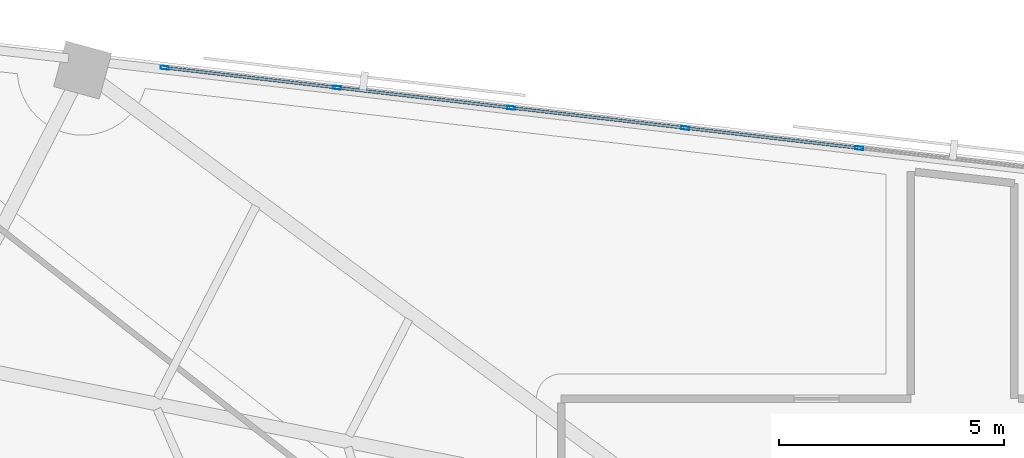
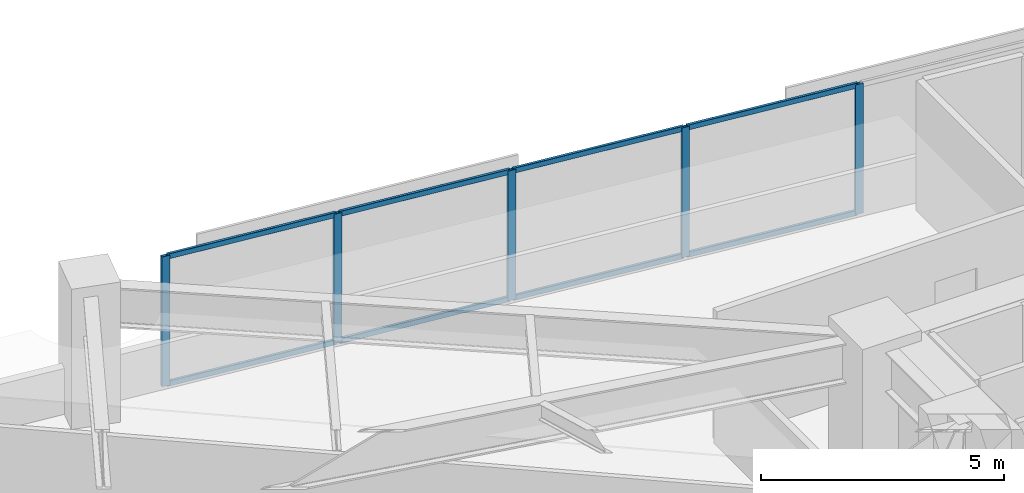
# One storey, part 7 of 13: 13 members, 1 element without a shape of its own.
"""IFC4 building model written with IfcOpenShell, lengths in metres."""

from ifc_helpers import new_model, si_unit, direction, frame, origin, origin_2d, place, context, subcontext, project, spatial, hollow_rectangle, extrude, material, material_profile, profile_set, type_object, element, aggregate, save


model = new_model("IFC4")

# Units and contexts
model_context = context("Model", 3, precision=1e-05, world=origin(), true_north=direction((0.0, 1.0)))
body_context = subcontext(model_context, "Body", "Model", "MODEL_VIEW")
ifc_project = project(units=[si_unit("LENGTHUNIT", "METRE"), si_unit("AREAUNIT", "SQUARE_METRE"), si_unit("VOLUMEUNIT", "CUBIC_METRE"), si_unit("PLANEANGLEUNIT", "RADIAN"), si_unit("MASSUNIT", "GRAM", prefix="KILO")], contexts=[model_context])

# Site, building, storey
site_placement = place(None, origin())
site = spatial("IfcSite", under=ifc_project, at=site_placement, CompositionType="ELEMENT")
building_placement = place(site_placement, origin())
building = spatial("IfcBuilding", under=site, at=building_placement, Name="Narakoshi Arena Tower", CompositionType="ELEMENT")
storey_placement = place(building_placement, frame((0.0, 0.0, 229.06005859375)))
storey = spatial("IfcBuildingStorey", under=building, at=storey_placement, Name="L62", CompositionType="ELEMENT", Elevation=229.06005859375)

# Curtain wall, members
ifc_material = material(Name="Anodised bronze aluminium 6063-T6", Category="aluminium")
curtain_wall_type = type_object("IfcCurtainWallType", Name="CW-HYP-MID", PredefinedType="NOTDEFINED", material=ifc_material)
curtain_wall_placement = place(storey_placement, origin())
curtain_wall = element("IfcCurtainWall", 1, at=curtain_wall_placement, inside=storey, type_object=curtain_wall_type, Name="L62 Folded Hypotenuse Curtain Wall 2-1", PredefinedType="NOTDEFINED")
ifc_material_profile_1 = material_profile(ifc_material, hollow_rectangle(XDim=0.074951171875, YDim=0.179931640625, WallThickness=0.00390625, OuterFilletRadius=0.0048828125, at=origin_2d()), Name="MUL180x75x4")
ifc_profile_set_1 = profile_set([ifc_material_profile_1], Name="Anodised bronze aluminium 6063-T6")
member_type_1 = type_object("IfcMemberType", Name="MEM-MUL-180", PredefinedType="MULLION", material=ifc_profile_set_1)
member_1_placement = place(storey_placement, frame((76.20068359375, 64.446533203125, 0.0), z_axis=(0.0, 0.0, 1.0), x_axis=(-0.115011296816, -0.993364183774, 0.0)))
member_1 = element("IfcMember", 2, at=member_1_placement, type_object=member_type_1, Name="CW-02 mullion 3", PredefinedType="MULLION", context=body_context, shape_type="SweptSolid", body=[
    extrude(hollow_rectangle(XDim=0.074951171875, YDim=0.179931640625, WallThickness=0.00390625, OuterFilletRadius=0.0048828125, at=origin_2d()), origin(), (0.0, 0.0, 1.0), 3.260009765625),
])
member_2_placement = place(storey_placement, frame((72.33154296875, 64.894287109375, 0.0), z_axis=(0.0, 0.0, 1.0), x_axis=(-0.115011296816, -0.993364183774, 0.0)))
member_2 = element("IfcMember", 3, at=member_2_placement, type_object=member_type_1, Name="CW-02 mullion 4", PredefinedType="MULLION", context=body_context, shape_type="SweptSolid", body=[
    extrude(hollow_rectangle(XDim=0.074951171875, YDim=0.179931640625, WallThickness=0.00390625, OuterFilletRadius=0.0048828125, at=origin_2d()), origin(), (0.0, 0.0, 1.0), 3.260009765625),
])
member_3_placement = place(storey_placement, frame((68.46240234375, 65.34228515625, 0.0), z_axis=(0.0, 0.0, 1.0), x_axis=(-0.115011296816, -0.993364183774, 0.0)))
member_3 = element("IfcMember", 4, at=member_3_placement, type_object=member_type_1, Name="CW-02 mullion 5", PredefinedType="MULLION", context=body_context, shape_type="SweptSolid", body=[
    extrude(hollow_rectangle(XDim=0.074951171875, YDim=0.179931640625, WallThickness=0.00390625, OuterFilletRadius=0.0048828125, at=origin_2d()), origin(), (0.0, 0.0, 1.0), 3.260009765625),
])
member_4_placement = place(storey_placement, frame((64.59326171875, 65.790283203125, 0.0), z_axis=(0.0, 0.0, 1.0), x_axis=(-0.115011296816, -0.993364183774, 0.0)))
member_4 = element("IfcMember", 5, at=member_4_placement, type_object=member_type_1, Name="CW-02 mullion 6", PredefinedType="MULLION", context=body_context, shape_type="SweptSolid", body=[
    extrude(hollow_rectangle(XDim=0.074951171875, YDim=0.179931640625, WallThickness=0.00390625, OuterFilletRadius=0.0048828125, at=origin_2d()), origin(), (0.0, 0.0, 1.0), 3.260009765625),
])
member_5_placement = place(storey_placement, frame((60.76123046875, 66.23388671875, 0.0), z_axis=(0.0, 0.0, 1.0), x_axis=(-0.115011296816, -0.993364183774, 0.0)))
member_5 = element("IfcMember", 6, at=member_5_placement, type_object=member_type_1, Name="CW-02 mullion 7", PredefinedType="MULLION", context=body_context, shape_type="SweptSolid", body=[
    extrude(hollow_rectangle(XDim=0.074951171875, YDim=0.179931640625, WallThickness=0.00390625, OuterFilletRadius=0.0048828125, at=origin_2d()), origin(), (0.0, 0.0, 1.0), 3.260009765625),
])
ifc_material_profile_2 = material_profile(ifc_material, hollow_rectangle(XDim=0.06494140625, YDim=0.1298828125, WallThickness=0.00390625, OuterFilletRadius=0.0048828125, at=origin_2d()), Name="TRN130x65x4")
ifc_profile_set_2 = profile_set([ifc_material_profile_2], Name="Anodised bronze aluminium 6063-T6")
member_type_2 = type_object("IfcMemberType", Name="MEM-TRN-130", PredefinedType="USERDEFINED", material=ifc_profile_set_2)
member_6_placement = place(storey_placement, frame((76.163330078125, 64.45068359375, 0.032470703125), z_axis=(-0.993360986362, 0.115038909828, 0.0), x_axis=(-0.115038909828, -0.993360986362, 0.0)))
member_6 = element("IfcMember", 7, at=member_6_placement, type_object=member_type_2, Name="CW-02 transom 3.1", ObjectType="TRANSOM", PredefinedType="USERDEFINED", context=body_context, shape_type="SweptSolid", body=[
    extrude(hollow_rectangle(XDim=0.06494140625, YDim=0.1298828125, WallThickness=0.00390625, OuterFilletRadius=0.0048828125, at=origin_2d()), origin(), (0.0, 0.0, 1.0), 3.820068359375),
])
member_7_placement = place(storey_placement, frame((76.163330078125, 64.45068359375, 3.2275390625), z_axis=(-0.993360986362, 0.115038909828, 0.0), x_axis=(-0.115038909828, -0.993360986362, 0.0)))
member_7 = element("IfcMember", 8, at=member_7_placement, type_object=member_type_2, Name="CW-02 transom 3.2", ObjectType="TRANSOM", PredefinedType="USERDEFINED", context=body_context, shape_type="SweptSolid", body=[
    extrude(hollow_rectangle(XDim=0.06494140625, YDim=0.1298828125, WallThickness=0.00390625, OuterFilletRadius=0.0048828125, at=origin_2d()), origin(), (0.0, 0.0, 1.0), 3.820068359375),
])
member_8_placement = place(storey_placement, frame((72.294189453125, 64.898681640625, 0.032470703125), z_axis=(-0.993360986362, 0.115038909828, 0.0), x_axis=(-0.115038909828, -0.993360986362, 0.0)))
member_8 = element("IfcMember", 9, at=member_8_placement, type_object=member_type_2, Name="CW-02 transom 4.1", ObjectType="TRANSOM", PredefinedType="USERDEFINED", context=body_context, shape_type="SweptSolid", body=[
    extrude(hollow_rectangle(XDim=0.06494140625, YDim=0.1298828125, WallThickness=0.00390625, OuterFilletRadius=0.0048828125, at=origin_2d()), origin(), (0.0, 0.0, 1.0), 3.820068359375),
])
member_9_placement = place(storey_placement, frame((72.294189453125, 64.898681640625, 3.2275390625), z_axis=(-0.993360986362, 0.115038909828, 0.0), x_axis=(-0.115038909828, -0.993360986362, 0.0)))
member_9 = element("IfcMember", 10, at=member_9_placement, type_object=member_type_2, Name="CW-02 transom 4.2", ObjectType="TRANSOM", PredefinedType="USERDEFINED", context=body_context, shape_type="SweptSolid", body=[
    extrude(hollow_rectangle(XDim=0.06494140625, YDim=0.1298828125, WallThickness=0.00390625, OuterFilletRadius=0.0048828125, at=origin_2d()), origin(), (0.0, 0.0, 1.0), 3.820068359375),
])
member_10_placement = place(storey_placement, frame((68.425048828125, 65.3466796875, 0.032470703125), z_axis=(-0.993360986362, 0.115038909828, 0.0), x_axis=(-0.115038909828, -0.993360986362, 0.0)))
member_10 = element("IfcMember", 11, at=member_10_placement, type_object=member_type_2, Name="CW-02 transom 5.1", ObjectType="TRANSOM", PredefinedType="USERDEFINED", context=body_context, shape_type="SweptSolid", body=[
    extrude(hollow_rectangle(XDim=0.06494140625, YDim=0.1298828125, WallThickness=0.00390625, OuterFilletRadius=0.0048828125, at=origin_2d()), origin(), (0.0, 0.0, 1.0), 3.820068359375),
])
member_11_placement = place(storey_placement, frame((68.425048828125, 65.3466796875, 3.2275390625), z_axis=(-0.993360986362, 0.115038909828, 0.0), x_axis=(-0.115038909828, -0.993360986362, 0.0)))
member_11 = element("IfcMember", 12, at=member_11_placement, type_object=member_type_2, Name="CW-02 transom 5.2", ObjectType="TRANSOM", PredefinedType="USERDEFINED", context=body_context, shape_type="SweptSolid", body=[
    extrude(hollow_rectangle(XDim=0.06494140625, YDim=0.1298828125, WallThickness=0.00390625, OuterFilletRadius=0.0048828125, at=origin_2d()), origin(), (0.0, 0.0, 1.0), 3.820068359375),
])
member_12_placement = place(storey_placement, frame((64.555908203125, 65.794677734375, 0.032470703125), z_axis=(-0.993363061903, 0.115020986115, 0.0), x_axis=(-0.115020986115, -0.993363061903, 0.0)))
member_12 = element("IfcMember", 13, at=member_12_placement, type_object=member_type_2, Name="CW-02 transom 6.1", ObjectType="TRANSOM", PredefinedType="USERDEFINED", context=body_context, shape_type="SweptSolid", body=[
    extrude(hollow_rectangle(XDim=0.06494140625, YDim=0.1298828125, WallThickness=0.00390625, OuterFilletRadius=0.0048828125, at=origin_2d()), origin(), (0.0, 0.0, 1.0), 3.782470703125),
])
member_13_placement = place(storey_placement, frame((64.555908203125, 65.794677734375, 3.2275390625), z_axis=(-0.993363061903, 0.115020986115, 0.0), x_axis=(-0.115020986115, -0.993363061903, 0.0)))
member_13 = element("IfcMember", 14, at=member_13_placement, type_object=member_type_2, Name="CW-02 transom 6.2", ObjectType="TRANSOM", PredefinedType="USERDEFINED", context=body_context, shape_type="SweptSolid", body=[
    extrude(hollow_rectangle(XDim=0.06494140625, YDim=0.1298828125, WallThickness=0.00390625, OuterFilletRadius=0.0048828125, at=origin_2d()), origin(), (0.0, 0.0, 1.0), 3.782470703125),
])
aggregate(curtain_wall, [member_1, member_2, member_3, member_4, member_5, member_6, member_7, member_8, member_9, member_10, member_11, member_12, member_13])

save(model, "model.ifc")
